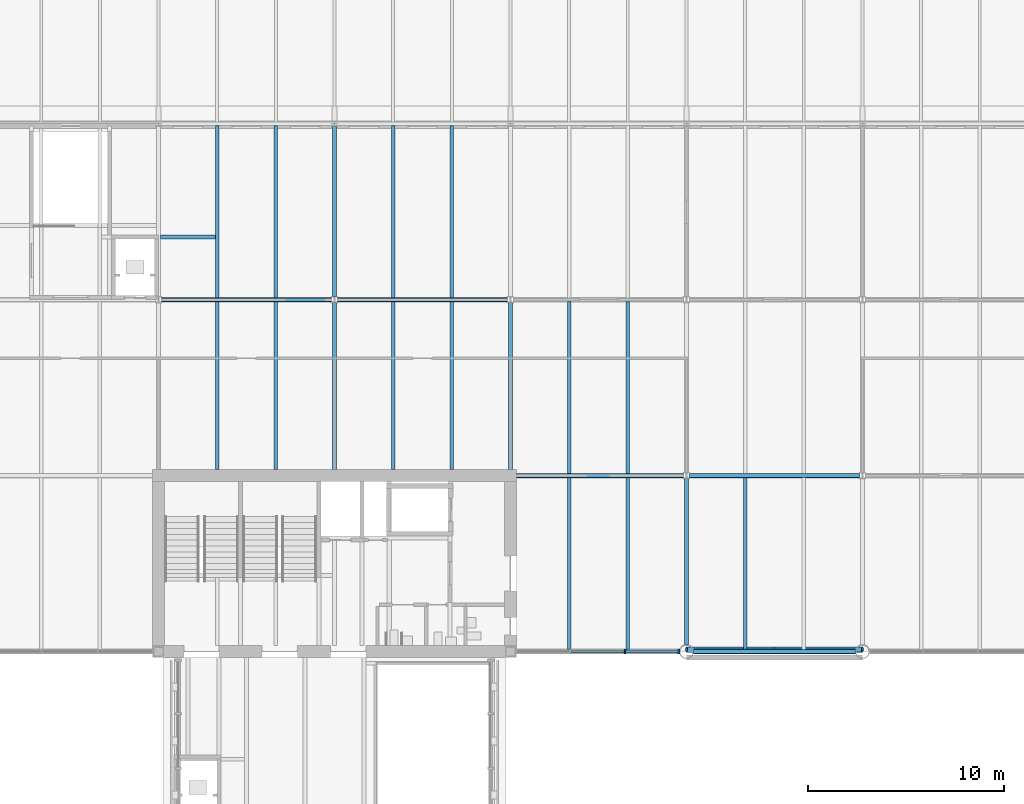
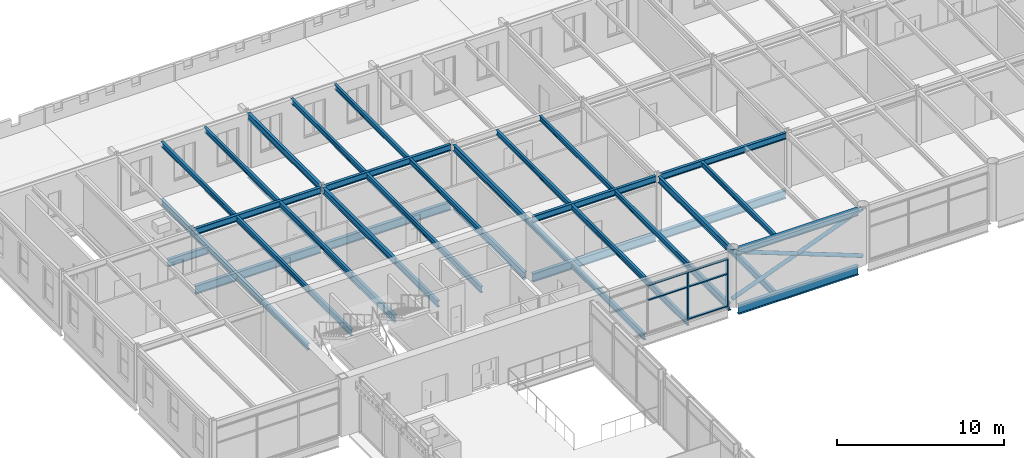
# One storey, part 35 of 123: 45 beams, 9 members, 1 element without a shape of its own.
"""IFC4 building model written with IfcOpenShell, lengths in metres."""

from ifc_helpers import new_model, si_unit, direction, frame, origin, origin_2d, place, context, subcontext, project, spatial, rectangle, hollow_circle, i_section, extrude, material, material_profile, profile_set, type_object, element, aggregate, save


model = new_model("IFC4")

# Units and contexts
model_context = context("Model", 3, precision=1e-05, world=origin(), true_north=direction((0.0, 1.0)))
body_context = subcontext(model_context, "Body", "Model", "MODEL_VIEW")
ifc_project = project(units=[si_unit("LENGTHUNIT", "METRE"), si_unit("AREAUNIT", "SQUARE_METRE"), si_unit("VOLUMEUNIT", "CUBIC_METRE"), si_unit("PLANEANGLEUNIT", "RADIAN"), si_unit("MASSUNIT", "GRAM", prefix="KILO")], contexts=[model_context])

# Site, building, storey
site_placement = place(None, origin())
site = spatial("IfcSite", under=ifc_project, at=site_placement, CompositionType="ELEMENT")
building_placement = place(site_placement, origin())
building = spatial("IfcBuilding", under=site, at=building_placement, Name="Baradari Gate Terminus", CompositionType="ELEMENT")
storey_placement = place(building_placement, frame((0.0, 0.0, 7.5)))
storey = spatial("IfcBuildingStorey", under=building, at=storey_placement, Name="L01", CompositionType="ELEMENT", Elevation=7.5)

# Members
ifc_material_1 = material(Name="Steel S355", Category="steel")
ifc_material_profile_1 = material_profile(ifc_material_1, hollow_circle(Radius=0.136474609375, WallThickness=0.012451171875, at=origin_2d()), Name="CHS 273x12.5")
ifc_profile_set_1 = profile_set([ifc_material_profile_1], Name="Steel S355")
member_type_1 = type_object("IfcMemberType", Name="Column bracing X02 CHS 273x12.5", PredefinedType="BRACE", material=ifc_profile_set_1)
for number, where, z_axis, x_axis, name in (
    (1, (99.0, 81.10009765625, 0.35009765625), (0.933747810426, 0.0, 0.357931594757), (0.0, 1.0, 0.0), "Column bracing 12-13 line K L01"),
    (2, (108.0, 81.10009765625, 0.35009765625), (-0.933747810426, 0.0, 0.357931594757), (0.0, -1.0, 0.0), "Column bracing 12-13 line K L01"),
):
    element("IfcMember", number, at=place(storey_placement, frame(where, z_axis=z_axis, x_axis=x_axis)), inside=storey, type_object=member_type_1, Name=name, PredefinedType="BRACE", context=body_context, shape_type="SweptSolid", body=[
        extrude(hollow_circle(Radius=0.136474609375, WallThickness=0.012451171875, at=origin_2d()), origin(), (0.0, 0.0, 1.0), 9.638671875),
    ])

# Curtain wall, members
ifc_material_2 = material(Name="Aluminium 6063-T6", Category="aluminium")
curtain_wall_type = type_object("IfcCurtainWallType", Name="Curtain wall CW-13 concourse gallery glazing", PredefinedType="NOTDEFINED", material=ifc_material_2)
curtain_wall_placement = place(storey_placement, origin())
curtain_wall = element("IfcCurtainWall", 3, at=curtain_wall_placement, inside=storey, type_object=curtain_wall_type, Name="Glazed curtain wall CW-13 HS bay 11 L01", PredefinedType="NOTDEFINED")
ifc_material_3 = material(Name="Aluminium 6063-T6", Category="aluminium")
ifc_material_profile_2 = material_profile(ifc_material_3, rectangle(XDim=0.22509765625, YDim=0.080078125, at=origin_2d()), Name="CM-13 80X225")
ifc_profile_set_2 = profile_set([ifc_material_profile_2], Name="Aluminium 6063-T6")
member_type_2 = type_object("IfcMemberType", Name="Curtain wall mullion CM-13 80x225", PredefinedType="MULLION", material=ifc_profile_set_2)
member_1_placement = place(storey_placement, frame((95.846435546875, 81.0, 0.0), z_axis=(0.0, 0.0, 1.0), x_axis=(0.0, 1.0, 0.0)))
member_1 = element("IfcMember", 4, at=member_1_placement, type_object=member_type_2, Name="CW-13 mullion 3", PredefinedType="MULLION", context=body_context, shape_type="SweptSolid", body=[
    extrude(rectangle(XDim=0.22509765625, YDim=0.080078125, at=origin_2d()), origin(), (0.0, 0.0, 1.0), 3.516845703125),
])
member_2_placement = place(storey_placement, frame((98.6044921875, 81.0, 0.0), z_axis=(0.0, 0.0, 1.0), x_axis=(0.0, 1.0, 0.0)))
member_2 = element("IfcMember", 5, at=member_2_placement, type_object=member_type_2, Name="CW-13 mullion 4", PredefinedType="MULLION", context=body_context, shape_type="SweptSolid", body=[
    extrude(rectangle(XDim=0.22509765625, YDim=0.080078125, at=origin_2d()), origin(), (0.0, 0.0, 1.0), 3.516845703125),
])
ifc_material_4 = material(Name="Aluminium 6063-T6", Category="aluminium")
ifc_material_profile_3 = material_profile(ifc_material_4, rectangle(XDim=0.159912109375, YDim=0.080078125, at=origin_2d()), Name="CT-13 80X160")
ifc_profile_set_3 = profile_set([ifc_material_profile_3], Name="Aluminium 6063-T6")
member_type_3 = type_object("IfcMemberType", Name="Curtain wall transom CT-13 80x160", PredefinedType="USERDEFINED", material=ifc_profile_set_3)
member_3_placement = place(storey_placement, frame((93.088134765625, 81.0, 2.39990234375), z_axis=(1.0, 0.0, 0.0), x_axis=(0.0, 1.0, 0.0)))
member_3 = element("IfcMember", 6, at=member_3_placement, type_object=member_type_3, Name="CW-13 transom 2.2", ObjectType="TRANSOM", PredefinedType="USERDEFINED", context=body_context, shape_type="SweptSolid", body=[
    extrude(rectangle(XDim=0.159912109375, YDim=0.080078125, at=origin_2d()), origin(), (0.0, 0.0, 1.0), 2.71826171875),
])
member_4_placement = place(storey_placement, frame((93.088134765625, 81.0, 3.476806640625), z_axis=(1.0, 0.0, 0.0), x_axis=(0.0, 1.0, 0.0)))
member_4 = element("IfcMember", 7, at=member_4_placement, type_object=member_type_3, Name="CW-13 transom 2.3", ObjectType="TRANSOM", PredefinedType="USERDEFINED", context=body_context, shape_type="SweptSolid", body=[
    extrude(rectangle(XDim=0.159912109375, YDim=0.080078125, at=origin_2d()), origin(), (0.0, 0.0, 1.0), 2.71826171875),
])
member_5_placement = place(storey_placement, frame((95.88623046875, 81.0, 0.0400390625), z_axis=(1.0, 0.0, 0.0), x_axis=(0.0, 1.0, 0.0)))
member_5 = element("IfcMember", 8, at=member_5_placement, type_object=member_type_3, Name="CW-13 transom 3.1", ObjectType="TRANSOM", PredefinedType="USERDEFINED", context=body_context, shape_type="SweptSolid", body=[
    extrude(rectangle(XDim=0.159912109375, YDim=0.080078125, at=origin_2d()), origin(), (0.0, 0.0, 1.0), 2.67822265625),
])
member_6_placement = place(storey_placement, frame((95.88623046875, 81.0, 2.39990234375), z_axis=(1.0, 0.0, 0.0), x_axis=(0.0, 1.0, 0.0)))
member_6 = element("IfcMember", 9, at=member_6_placement, type_object=member_type_3, Name="CW-13 transom 3.2", ObjectType="TRANSOM", PredefinedType="USERDEFINED", context=body_context, shape_type="SweptSolid", body=[
    extrude(rectangle(XDim=0.159912109375, YDim=0.080078125, at=origin_2d()), origin(), (0.0, 0.0, 1.0), 2.67822265625),
])
member_7_placement = place(storey_placement, frame((95.88623046875, 81.0, 3.476806640625), z_axis=(1.0, 0.0, 0.0), x_axis=(0.0, 1.0, 0.0)))
member_7 = element("IfcMember", 10, at=member_7_placement, type_object=member_type_3, Name="CW-13 transom 3.3", ObjectType="TRANSOM", PredefinedType="USERDEFINED", context=body_context, shape_type="SweptSolid", body=[
    extrude(rectangle(XDim=0.159912109375, YDim=0.080078125, at=origin_2d()), origin(), (0.0, 0.0, 1.0), 2.67822265625),
])
aggregate(curtain_wall, [member_1, member_2, member_3, member_4, member_5, member_6, member_7])

# Beams
ifc_material_5 = material(Name="Steel S355", Category="steel")
ifc_material_profile_4 = material_profile(ifc_material_5, i_section(OverallWidth=0.210693359375, OverallDepth=0.53955078125, WebThickness=0.01171875, FlangeThickness=0.018798828125, FilletRadius=0.0126953125, at=origin_2d()), Name="UB 533x210x109")
ifc_profile_set_4 = profile_set([ifc_material_profile_4], Name="Steel S355")
beam_type_1 = type_object("IfcBeamType", Name="Head-house cross girder B12 UB 533x210x109", PredefinedType="BEAM", material=ifc_profile_set_4)
beam_1_placement = place(storey_placement, frame((81.0, 90.300048828125, -0.399658203125), z_axis=(0.0, 1.0, 0.0), x_axis=(-1.0, 0.0, 0.0)))
element("IfcBeam", 11, at=beam_1_placement, inside=storey, type_object=beam_type_1, Name="Head-house cross girder B12 10:90.3-98.843 L01", PredefinedType="BEAM", context=body_context, shape_type="SweptSolid", body=[
    extrude(i_section(OverallWidth=0.210693359375, OverallDepth=0.53955078125, WebThickness=0.01171875, FlangeThickness=0.018798828125, FilletRadius=0.0126953125, at=origin_2d()), origin(), (0.0, 0.0, 1.0), 8.542724609375),
])
beam_2_placement = place(storey_placement, frame((81.0, 99.1572265625, -0.399658203125), z_axis=(0.0, 1.0, 0.0), x_axis=(-1.0, 0.0, 0.0)))
element("IfcBeam", 12, at=beam_2_placement, inside=storey, type_object=beam_type_1, Name="Head-house cross girder B12 10:99.157-107.87 L01", PredefinedType="BEAM", context=body_context, shape_type="SweptSolid", body=[
    extrude(i_section(OverallWidth=0.210693359375, OverallDepth=0.53955078125, WebThickness=0.01171875, FlangeThickness=0.018798828125, FilletRadius=0.0126953125, at=origin_2d()), origin(), (0.0, 0.0, 1.0), 8.712646484375),
])
beam_3_placement = place(storey_placement, frame((90.0, 90.300048828125, -0.399658203125), z_axis=(0.0, 1.0, 0.0), x_axis=(-1.0, 0.0, 0.0)))
element("IfcBeam", 13, at=beam_3_placement, inside=storey, type_object=beam_type_1, Name="Head-house cross girder B12 11:90.3-98.843 L01", PredefinedType="BEAM", context=body_context, shape_type="SweptSolid", body=[
    extrude(i_section(OverallWidth=0.210693359375, OverallDepth=0.53955078125, WebThickness=0.01171875, FlangeThickness=0.018798828125, FilletRadius=0.0126953125, at=origin_2d()), origin(), (0.0, 0.0, 1.0), 8.542724609375),
])
beam_4_placement = place(storey_placement, frame((99.0, 81.35546875, -0.399658203125), z_axis=(0.0, 1.0, 0.0), x_axis=(-1.0, 0.0, 0.0)))
element("IfcBeam", 14, at=beam_4_placement, inside=storey, type_object=beam_type_1, Name="Head-house cross girder B12 12:81.356-89.843 L01", PredefinedType="BEAM", context=body_context, shape_type="SweptSolid", body=[
    extrude(i_section(OverallWidth=0.210693359375, OverallDepth=0.53955078125, WebThickness=0.01171875, FlangeThickness=0.018798828125, FilletRadius=0.0126953125, at=origin_2d()), origin(), (0.0, 0.0, 1.0), 8.4873046875),
])
ifc_material_6 = material(Name="Steel S355", Category="steel")
ifc_material_profile_5 = material_profile(ifc_material_6, i_section(OverallWidth=0.2529296875, OverallDepth=0.677978515625, WebThickness=0.01171875, FlangeThickness=0.01611328125, FilletRadius=0.01513671875, at=origin_2d()), Name="UB 686x254x125")
ifc_profile_set_5 = profile_set([ifc_material_profile_5], Name="Steel S355")
beam_type_2 = type_object("IfcBeamType", Name="Head-house edge girder B07 UB 686x254x125", PredefinedType="BEAM", material=ifc_profile_set_5)
beam_5_placement = place(storey_placement, frame((99.35546875, 81.0, -0.468994140625), z_axis=(1.0, 0.0, 0.0), x_axis=(0.0, 1.0, 0.0)))
element("IfcBeam", 15, at=beam_5_placement, inside=storey, type_object=beam_type_2, Name="Head-house edge girder B07 K:99.356-107.644 L01", PredefinedType="BEAM", context=body_context, shape_type="SweptSolid", body=[
    extrude(i_section(OverallWidth=0.2529296875, OverallDepth=0.677978515625, WebThickness=0.01171875, FlangeThickness=0.01611328125, FilletRadius=0.01513671875, at=origin_2d()), origin(), (0.0, 0.0, 1.0), 8.2890625),
])
ifc_material_7 = material(Name="Steel S355", Category="steel")
ifc_material_profile_6 = material_profile(ifc_material_7, i_section(OverallWidth=0.22900390625, OverallDepth=0.6123046875, WebThickness=0.011962890625, FlangeThickness=0.01953125, FilletRadius=0.0126953125, at=origin_2d()), Name="UB 610x229x125")
ifc_profile_set_6 = profile_set([ifc_material_profile_6], Name="Steel S355")
beam_type_3 = type_object("IfcBeamType", Name="Head-house girder B09 UB 610x229x125", PredefinedType="BEAM", material=ifc_profile_set_6)
beam_6_placement = place(storey_placement, frame((90.300048828125, 90.0, -0.43603515625), z_axis=(1.0, 0.0, 0.0), x_axis=(0.0, 1.0, 0.0)))
element("IfcBeam", 16, at=beam_6_placement, inside=storey, type_object=beam_type_3, Name="Head-house girder B09 L:90.3-98.846 L01", PredefinedType="BEAM", context=body_context, shape_type="SweptSolid", body=[
    extrude(i_section(OverallWidth=0.22900390625, OverallDepth=0.6123046875, WebThickness=0.011962890625, FlangeThickness=0.01953125, FilletRadius=0.0126953125, at=origin_2d()), origin(), (0.0, 0.0, 1.0), 8.546142578125),
])
for number, where, z_axis, x_axis, name in (
    (17, (99.15380859375, 90.0, -0.43603515625), (1.0, 0.0, 0.0), (0.0, 1.0, 0.0), "Head-house girder B09 L:99.154-107.846 L01"),
    (18, (72.15380859375, 99.0, -0.43603515625), (1.0, 0.0, 0.0), (0.0, 1.0, 0.0), "Head-house girder B09 M:72.154-80.846 L01"),
    (19, (81.15380859375, 99.0, -0.43603515625), (1.0, 0.0, 0.0), (0.0, 1.0, 0.0), "Head-house girder B09 M:81.154-89.846 L01"),
):
    element("IfcBeam", number, at=place(storey_placement, frame(where, z_axis=z_axis, x_axis=x_axis)), inside=storey, type_object=beam_type_3, Name=name, PredefinedType="BEAM", context=body_context, shape_type="SweptSolid", body=[
        extrude(i_section(OverallWidth=0.22900390625, OverallDepth=0.6123046875, WebThickness=0.011962890625, FlangeThickness=0.01953125, FilletRadius=0.0126953125, at=origin_2d()), origin(), (0.0, 0.0, 1.0), 8.6923828125),
    ])
ifc_material_8 = material(Name="Steel S355", Category="steel")
ifc_material_profile_7 = material_profile(ifc_material_8, i_section(OverallWidth=0.1904296875, OverallDepth=0.45703125, WebThickness=0.009033203125, FlangeThickness=0.014404296875, FilletRadius=0.01025390625, at=origin_2d()), Name="UB 457x191x74")
ifc_profile_set_7 = profile_set([ifc_material_profile_7], Name="Steel S355")
beam_type_4 = type_object("IfcBeamType", Name="Head-house roof cross girder B51 UB 457x191x74", PredefinedType="BEAM", material=ifc_profile_set_7)
beam_7_placement = place(storey_placement, frame((81.0, 90.300048828125, 3.821533203125), z_axis=(0.0, 1.0, 0.0), x_axis=(-1.0, 0.0, 0.0)))
element("IfcBeam", 20, at=beam_7_placement, inside=storey, type_object=beam_type_4, Name="Head-house roof cross girder B51 10:90.3-98.843 L01", PredefinedType="BEAM", context=body_context, shape_type="SweptSolid", body=[
    extrude(i_section(OverallWidth=0.1904296875, OverallDepth=0.45703125, WebThickness=0.009033203125, FlangeThickness=0.014404296875, FilletRadius=0.01025390625, at=origin_2d()), origin(), (0.0, 0.0, 1.0), 8.542724609375),
])
beam_8_placement = place(storey_placement, frame((81.0, 99.1572265625, 3.821533203125), z_axis=(0.0, 1.0, 0.0), x_axis=(-1.0, 0.0, 0.0)))
element("IfcBeam", 21, at=beam_8_placement, inside=storey, type_object=beam_type_4, Name="Head-house roof cross girder B51 10:99.157-107.87 L01", PredefinedType="BEAM", context=body_context, shape_type="SweptSolid", body=[
    extrude(i_section(OverallWidth=0.1904296875, OverallDepth=0.45703125, WebThickness=0.009033203125, FlangeThickness=0.014404296875, FilletRadius=0.01025390625, at=origin_2d()), origin(), (0.0, 0.0, 1.0), 8.712646484375),
])
beam_9_placement = place(storey_placement, frame((90.0, 90.300048828125, 3.821533203125), z_axis=(0.0, 1.0, 0.0), x_axis=(-1.0, 0.0, 0.0)))
element("IfcBeam", 22, at=beam_9_placement, inside=storey, type_object=beam_type_4, Name="Head-house roof cross girder B51 11:90.3-98.843 L01", PredefinedType="BEAM", context=body_context, shape_type="SweptSolid", body=[
    extrude(i_section(OverallWidth=0.1904296875, OverallDepth=0.45703125, WebThickness=0.009033203125, FlangeThickness=0.014404296875, FilletRadius=0.01025390625, at=origin_2d()), origin(), (0.0, 0.0, 1.0), 8.542724609375),
])
beam_10_placement = place(storey_placement, frame((99.0, 81.35546875, 3.821533203125), z_axis=(0.0, 1.0, 0.0), x_axis=(-1.0, 0.0, 0.0)))
element("IfcBeam", 23, at=beam_10_placement, inside=storey, type_object=beam_type_4, Name="Head-house roof cross girder B51 12:81.356-89.843 L01", PredefinedType="BEAM", context=body_context, shape_type="SweptSolid", body=[
    extrude(i_section(OverallWidth=0.1904296875, OverallDepth=0.45703125, WebThickness=0.009033203125, FlangeThickness=0.014404296875, FilletRadius=0.01025390625, at=origin_2d()), origin(), (0.0, 0.0, 1.0), 8.4873046875),
])
ifc_material_9 = material(Name="Steel S355", Category="steel")
ifc_material_profile_8 = material_profile(ifc_material_9, i_section(OverallWidth=0.209228515625, OverallDepth=0.533203125, WebThickness=0.010009765625, FlangeThickness=0.015625, FilletRadius=0.0126953125, at=origin_2d()), Name="UB 533x210x92")
ifc_profile_set_8 = profile_set([ifc_material_profile_8], Name="Steel S355")
beam_type_5 = type_object("IfcBeamType", Name="Head-house roof edge girder B48 UB 533x210x92", PredefinedType="BEAM", material=ifc_profile_set_8)
beam_11_placement = place(storey_placement, frame((99.35546875, 81.0, 3.783447265625), z_axis=(1.0, 0.0, 0.0), x_axis=(0.0, 1.0, 0.0)))
element("IfcBeam", 24, at=beam_11_placement, inside=storey, type_object=beam_type_5, Name="Head-house roof edge girder B48 K:99.356-107.644 L01", PredefinedType="BEAM", context=body_context, shape_type="SweptSolid", body=[
    extrude(i_section(OverallWidth=0.209228515625, OverallDepth=0.533203125, WebThickness=0.010009765625, FlangeThickness=0.015625, FilletRadius=0.0126953125, at=origin_2d()), origin(), (0.0, 0.0, 1.0), 8.2890625),
])
ifc_material_10 = material(Name="Steel S355", Category="steel")
ifc_material_profile_9 = material_profile(ifc_material_10, i_section(OverallWidth=0.19140625, OverallDepth=0.4599609375, WebThickness=0.010009765625, FlangeThickness=0.01611328125, FilletRadius=0.01025390625, at=origin_2d()), Name="UB 457x191x82")
ifc_profile_set_9 = profile_set([ifc_material_profile_9], Name="Steel S355")
beam_type_6 = type_object("IfcBeamType", Name="Head-house roof girder B49 UB 457x191x82", PredefinedType="BEAM", material=ifc_profile_set_9)
beam_12_placement = place(storey_placement, frame((90.300048828125, 90.0, 3.820068359375), z_axis=(1.0, 0.0, 0.0), x_axis=(0.0, 1.0, 0.0)))
element("IfcBeam", 25, at=beam_12_placement, inside=storey, type_object=beam_type_6, Name="Head-house roof girder B49 L:90.3-98.846 L01", PredefinedType="BEAM", context=body_context, shape_type="SweptSolid", body=[
    extrude(i_section(OverallWidth=0.19140625, OverallDepth=0.4599609375, WebThickness=0.010009765625, FlangeThickness=0.01611328125, FilletRadius=0.01025390625, at=origin_2d()), origin(), (0.0, 0.0, 1.0), 8.546142578125),
])
for number, where, z_axis, x_axis, name in (
    (26, (99.15380859375, 90.0, 3.820068359375), (1.0, 0.0, 0.0), (0.0, 1.0, 0.0), "Head-house roof girder B49 L:99.154-107.846 L01"),
    (27, (72.15380859375, 99.0, 3.820068359375), (1.0, 0.0, 0.0), (0.0, 1.0, 0.0), "Head-house roof girder B49 M:72.154-80.846 L01"),
    (28, (81.15380859375, 99.0, 3.820068359375), (1.0, 0.0, 0.0), (0.0, 1.0, 0.0), "Head-house roof girder B49 M:81.154-89.846 L01"),
):
    element("IfcBeam", number, at=place(storey_placement, frame(where, z_axis=z_axis, x_axis=x_axis)), inside=storey, type_object=beam_type_6, Name=name, PredefinedType="BEAM", context=body_context, shape_type="SweptSolid", body=[
        extrude(i_section(OverallWidth=0.19140625, OverallDepth=0.4599609375, WebThickness=0.010009765625, FlangeThickness=0.01611328125, FilletRadius=0.01025390625, at=origin_2d()), origin(), (0.0, 0.0, 1.0), 8.6923828125),
    ])
ifc_material_11 = material(Name="Steel S355", Category="steel")
ifc_material_profile_10 = material_profile(ifc_material_11, i_section(OverallWidth=0.17138671875, OverallDepth=0.35498046875, WebThickness=0.00732421875, FlangeThickness=0.011474609375, FilletRadius=0.01025390625, at=origin_2d()), Name="UB 356x171x51")
ifc_profile_set_10 = profile_set([ifc_material_profile_10], Name="Steel S355")
beam_type_7 = type_object("IfcBeamType", Name="Head-house roof secondary beam B50 UB 356x171x51", PredefinedType="BEAM", material=ifc_profile_set_10)
beam_13_placement = place(storey_placement, frame((75.0, 90.300048828125, 3.87255859375), z_axis=(0.0, 1.0, 0.0), x_axis=(-1.0, 0.0, 0.0)))
element("IfcBeam", 29, at=beam_13_placement, inside=storey, type_object=beam_type_7, Name="Head-house roof secondary beam B50 75:90.3-98.904 L01", PredefinedType="BEAM", context=body_context, shape_type="SweptSolid", body=[
    extrude(i_section(OverallWidth=0.17138671875, OverallDepth=0.35498046875, WebThickness=0.00732421875, FlangeThickness=0.011474609375, FilletRadius=0.01025390625, at=origin_2d()), origin(), (0.0, 0.0, 1.0), 8.604248046875),
])
beam_14_placement = place(storey_placement, frame((75.0, 99.095703125, 3.87255859375), z_axis=(0.0, 1.0, 0.0), x_axis=(-1.0, 0.0, 0.0)))
element("IfcBeam", 30, at=beam_14_placement, inside=storey, type_object=beam_type_7, Name="Head-house roof secondary beam B50 75:99.096-107.895 L01", PredefinedType="BEAM", context=body_context, shape_type="SweptSolid", body=[
    extrude(i_section(OverallWidth=0.17138671875, OverallDepth=0.35498046875, WebThickness=0.00732421875, FlangeThickness=0.011474609375, FilletRadius=0.01025390625, at=origin_2d()), origin(), (0.0, 0.0, 1.0), 8.799560546875),
])
beam_15_placement = place(storey_placement, frame((78.0, 90.300048828125, 3.87255859375), z_axis=(0.0, 1.0, 0.0), x_axis=(-1.0, 0.0, 0.0)))
element("IfcBeam", 31, at=beam_15_placement, inside=storey, type_object=beam_type_7, Name="Head-house roof secondary beam B50 78:90.3-98.904 L01", PredefinedType="BEAM", context=body_context, shape_type="SweptSolid", body=[
    extrude(i_section(OverallWidth=0.17138671875, OverallDepth=0.35498046875, WebThickness=0.00732421875, FlangeThickness=0.011474609375, FilletRadius=0.01025390625, at=origin_2d()), origin(), (0.0, 0.0, 1.0), 8.604248046875),
])
beam_16_placement = place(storey_placement, frame((78.0, 99.095703125, 3.87255859375), z_axis=(0.0, 1.0, 0.0), x_axis=(-1.0, 0.0, 0.0)))
element("IfcBeam", 32, at=beam_16_placement, inside=storey, type_object=beam_type_7, Name="Head-house roof secondary beam B50 78:99.096-107.895 L01", PredefinedType="BEAM", context=body_context, shape_type="SweptSolid", body=[
    extrude(i_section(OverallWidth=0.17138671875, OverallDepth=0.35498046875, WebThickness=0.00732421875, FlangeThickness=0.011474609375, FilletRadius=0.01025390625, at=origin_2d()), origin(), (0.0, 0.0, 1.0), 8.799560546875),
])
beam_17_placement = place(storey_placement, frame((84.0, 90.300048828125, 3.87255859375), z_axis=(0.0, 1.0, 0.0), x_axis=(-1.0, 0.0, 0.0)))
element("IfcBeam", 33, at=beam_17_placement, inside=storey, type_object=beam_type_7, Name="Head-house roof secondary beam B50 84:90.3-98.904 L01", PredefinedType="BEAM", context=body_context, shape_type="SweptSolid", body=[
    extrude(i_section(OverallWidth=0.17138671875, OverallDepth=0.35498046875, WebThickness=0.00732421875, FlangeThickness=0.011474609375, FilletRadius=0.01025390625, at=origin_2d()), origin(), (0.0, 0.0, 1.0), 8.604248046875),
])
beam_18_placement = place(storey_placement, frame((84.0, 99.095703125, 3.87255859375), z_axis=(0.0, 1.0, 0.0), x_axis=(-1.0, 0.0, 0.0)))
element("IfcBeam", 34, at=beam_18_placement, inside=storey, type_object=beam_type_7, Name="Head-house roof secondary beam B50 84:99.096-107.895 L01", PredefinedType="BEAM", context=body_context, shape_type="SweptSolid", body=[
    extrude(i_section(OverallWidth=0.17138671875, OverallDepth=0.35498046875, WebThickness=0.00732421875, FlangeThickness=0.011474609375, FilletRadius=0.01025390625, at=origin_2d()), origin(), (0.0, 0.0, 1.0), 8.799560546875),
])
beam_19_placement = place(storey_placement, frame((87.0, 90.300048828125, 3.87255859375), z_axis=(0.0, 1.0, 0.0), x_axis=(-1.0, 0.0, 0.0)))
element("IfcBeam", 35, at=beam_19_placement, inside=storey, type_object=beam_type_7, Name="Head-house roof secondary beam B50 87:90.3-98.904 L01", PredefinedType="BEAM", context=body_context, shape_type="SweptSolid", body=[
    extrude(i_section(OverallWidth=0.17138671875, OverallDepth=0.35498046875, WebThickness=0.00732421875, FlangeThickness=0.011474609375, FilletRadius=0.01025390625, at=origin_2d()), origin(), (0.0, 0.0, 1.0), 8.604248046875),
])
for number, where, z_axis, x_axis, name in (
    (36, (87.0, 99.095703125, 3.87255859375), (0.0, 1.0, 0.0), (-1.0, 0.0, 0.0), "Head-house roof secondary beam B50 87:99.096-107.895 L01"),
    (37, (93.0, 81.104736328125, 3.87255859375), (0.0, 1.0, 0.0), (-1.0, 0.0, 0.0), "Head-house roof secondary beam B50 93:81.105-89.904 L01"),
):
    element("IfcBeam", number, at=place(storey_placement, frame(where, z_axis=z_axis, x_axis=x_axis)), inside=storey, type_object=beam_type_7, Name=name, PredefinedType="BEAM", context=body_context, shape_type="SweptSolid", body=[
        extrude(i_section(OverallWidth=0.17138671875, OverallDepth=0.35498046875, WebThickness=0.00732421875, FlangeThickness=0.011474609375, FilletRadius=0.01025390625, at=origin_2d()), origin(), (0.0, 0.0, 1.0), 8.799560546875),
    ])
beam_20_placement = place(storey_placement, frame((93.0, 90.095703125, 3.87255859375), z_axis=(0.0, 1.0, 0.0), x_axis=(-1.0, 0.0, 0.0)))
element("IfcBeam", 38, at=beam_20_placement, inside=storey, type_object=beam_type_7, Name="Head-house roof secondary beam B50 93:90.096-98.904 L01", PredefinedType="BEAM", context=body_context, shape_type="SweptSolid", body=[
    extrude(i_section(OverallWidth=0.17138671875, OverallDepth=0.35498046875, WebThickness=0.00732421875, FlangeThickness=0.011474609375, FilletRadius=0.01025390625, at=origin_2d()), origin(), (0.0, 0.0, 1.0), 8.80859375),
])
beam_21_placement = place(storey_placement, frame((96.0, 81.104736328125, 3.87255859375), z_axis=(0.0, 1.0, 0.0), x_axis=(-1.0, 0.0, 0.0)))
element("IfcBeam", 39, at=beam_21_placement, inside=storey, type_object=beam_type_7, Name="Head-house roof secondary beam B50 96:81.105-89.904 L01", PredefinedType="BEAM", context=body_context, shape_type="SweptSolid", body=[
    extrude(i_section(OverallWidth=0.17138671875, OverallDepth=0.35498046875, WebThickness=0.00732421875, FlangeThickness=0.011474609375, FilletRadius=0.01025390625, at=origin_2d()), origin(), (0.0, 0.0, 1.0), 8.799560546875),
])
beam_22_placement = place(storey_placement, frame((96.0, 90.095703125, 3.87255859375), z_axis=(0.0, 1.0, 0.0), x_axis=(-1.0, 0.0, 0.0)))
element("IfcBeam", 40, at=beam_22_placement, inside=storey, type_object=beam_type_7, Name="Head-house roof secondary beam B50 96:90.096-98.904 L01", PredefinedType="BEAM", context=body_context, shape_type="SweptSolid", body=[
    extrude(i_section(OverallWidth=0.17138671875, OverallDepth=0.35498046875, WebThickness=0.00732421875, FlangeThickness=0.011474609375, FilletRadius=0.01025390625, at=origin_2d()), origin(), (0.0, 0.0, 1.0), 8.80859375),
])
beam_23_placement = place(storey_placement, frame((102.0, 81.104736328125, 3.87255859375), z_axis=(0.0, 1.0, 0.0), x_axis=(-1.0, 0.0, 0.0)))
element("IfcBeam", 41, at=beam_23_placement, inside=storey, type_object=beam_type_7, Name="Head-house roof secondary beam B50 102:81.105-89.904 L01", PredefinedType="BEAM", context=body_context, shape_type="SweptSolid", body=[
    extrude(i_section(OverallWidth=0.17138671875, OverallDepth=0.35498046875, WebThickness=0.00732421875, FlangeThickness=0.011474609375, FilletRadius=0.01025390625, at=origin_2d()), origin(), (0.0, 0.0, 1.0), 8.799560546875),
])
ifc_material_12 = material(Name="Steel S355", Category="steel")
ifc_material_profile_11 = material_profile(ifc_material_12, i_section(OverallWidth=0.18994140625, OverallDepth=0.453369140625, WebThickness=0.008544921875, FlangeThickness=0.0126953125, FilletRadius=0.01025390625, at=origin_2d()), Name="UB 457x191x67")
ifc_profile_set_11 = profile_set([ifc_material_profile_11], Name="Steel S355")
beam_type_8 = type_object("IfcBeamType", Name="Head-house secondary beam B11 UB 457x191x67", PredefinedType="BEAM", material=ifc_profile_set_11)
beam_24_placement = place(storey_placement, frame((75.0, 90.300048828125, -0.356689453125), z_axis=(0.0, 1.0, 0.0), x_axis=(-1.0, 0.0, 0.0)))
element("IfcBeam", 42, at=beam_24_placement, inside=storey, type_object=beam_type_8, Name="Head-house secondary beam B11 75:90.3-98.885 L01", PredefinedType="BEAM", context=body_context, shape_type="SweptSolid", body=[
    extrude(i_section(OverallWidth=0.18994140625, OverallDepth=0.453369140625, WebThickness=0.008544921875, FlangeThickness=0.0126953125, FilletRadius=0.01025390625, at=origin_2d()), origin(), (0.0, 0.0, 1.0), 8.58544921875),
])
beam_25_placement = place(storey_placement, frame((75.0, 99.114501953125, -0.356689453125), z_axis=(0.0, 1.0, 0.0), x_axis=(-1.0, 0.0, 0.0)))
element("IfcBeam", 43, at=beam_25_placement, inside=storey, type_object=beam_type_8, Name="Head-house secondary beam B11 75:99.115-107.874 L01", PredefinedType="BEAM", context=body_context, shape_type="SweptSolid", body=[
    extrude(i_section(OverallWidth=0.18994140625, OverallDepth=0.453369140625, WebThickness=0.008544921875, FlangeThickness=0.0126953125, FilletRadius=0.01025390625, at=origin_2d()), origin(), (0.0, 0.0, 1.0), 8.759033203125),
])
beam_26_placement = place(storey_placement, frame((78.0, 90.300048828125, -0.356689453125), z_axis=(0.0, 1.0, 0.0), x_axis=(-1.0, 0.0, 0.0)))
element("IfcBeam", 44, at=beam_26_placement, inside=storey, type_object=beam_type_8, Name="Head-house secondary beam B11 78:90.3-98.885 L01", PredefinedType="BEAM", context=body_context, shape_type="SweptSolid", body=[
    extrude(i_section(OverallWidth=0.18994140625, OverallDepth=0.453369140625, WebThickness=0.008544921875, FlangeThickness=0.0126953125, FilletRadius=0.01025390625, at=origin_2d()), origin(), (0.0, 0.0, 1.0), 8.58544921875),
])
beam_27_placement = place(storey_placement, frame((78.0, 99.114501953125, -0.356689453125), z_axis=(0.0, 1.0, 0.0), x_axis=(-1.0, 0.0, 0.0)))
element("IfcBeam", 45, at=beam_27_placement, inside=storey, type_object=beam_type_8, Name="Head-house secondary beam B11 78:99.115-107.874 L01", PredefinedType="BEAM", context=body_context, shape_type="SweptSolid", body=[
    extrude(i_section(OverallWidth=0.18994140625, OverallDepth=0.453369140625, WebThickness=0.008544921875, FlangeThickness=0.0126953125, FilletRadius=0.01025390625, at=origin_2d()), origin(), (0.0, 0.0, 1.0), 8.759033203125),
])
beam_28_placement = place(storey_placement, frame((84.0, 90.300048828125, -0.356689453125), z_axis=(0.0, 1.0, 0.0), x_axis=(-1.0, 0.0, 0.0)))
element("IfcBeam", 46, at=beam_28_placement, inside=storey, type_object=beam_type_8, Name="Head-house secondary beam B11 84:90.3-98.885 L01", PredefinedType="BEAM", context=body_context, shape_type="SweptSolid", body=[
    extrude(i_section(OverallWidth=0.18994140625, OverallDepth=0.453369140625, WebThickness=0.008544921875, FlangeThickness=0.0126953125, FilletRadius=0.01025390625, at=origin_2d()), origin(), (0.0, 0.0, 1.0), 8.58544921875),
])
beam_29_placement = place(storey_placement, frame((84.0, 99.114501953125, -0.356689453125), z_axis=(0.0, 1.0, 0.0), x_axis=(-1.0, 0.0, 0.0)))
element("IfcBeam", 47, at=beam_29_placement, inside=storey, type_object=beam_type_8, Name="Head-house secondary beam B11 84:99.115-107.874 L01", PredefinedType="BEAM", context=body_context, shape_type="SweptSolid", body=[
    extrude(i_section(OverallWidth=0.18994140625, OverallDepth=0.453369140625, WebThickness=0.008544921875, FlangeThickness=0.0126953125, FilletRadius=0.01025390625, at=origin_2d()), origin(), (0.0, 0.0, 1.0), 8.759033203125),
])
beam_30_placement = place(storey_placement, frame((87.0, 90.300048828125, -0.356689453125), z_axis=(0.0, 1.0, 0.0), x_axis=(-1.0, 0.0, 0.0)))
element("IfcBeam", 48, at=beam_30_placement, inside=storey, type_object=beam_type_8, Name="Head-house secondary beam B11 87:90.3-98.885 L01", PredefinedType="BEAM", context=body_context, shape_type="SweptSolid", body=[
    extrude(i_section(OverallWidth=0.18994140625, OverallDepth=0.453369140625, WebThickness=0.008544921875, FlangeThickness=0.0126953125, FilletRadius=0.01025390625, at=origin_2d()), origin(), (0.0, 0.0, 1.0), 8.58544921875),
])
for number, where, z_axis, x_axis, name in (
    (49, (87.0, 99.114501953125, -0.356689453125), (0.0, 1.0, 0.0), (-1.0, 0.0, 0.0), "Head-house secondary beam B11 87:99.115-107.874 L01"),
    (50, (93.0, 81.12646484375, -0.356689453125), (0.0, 1.0, 0.0), (-1.0, 0.0, 0.0), "Head-house secondary beam B11 93:81.126-89.885 L01"),
):
    element("IfcBeam", number, at=place(storey_placement, frame(where, z_axis=z_axis, x_axis=x_axis)), inside=storey, type_object=beam_type_8, Name=name, PredefinedType="BEAM", context=body_context, shape_type="SweptSolid", body=[
        extrude(i_section(OverallWidth=0.18994140625, OverallDepth=0.453369140625, WebThickness=0.008544921875, FlangeThickness=0.0126953125, FilletRadius=0.01025390625, at=origin_2d()), origin(), (0.0, 0.0, 1.0), 8.759033203125),
    ])
beam_31_placement = place(storey_placement, frame((93.0, 90.114501953125, -0.356689453125), z_axis=(0.0, 1.0, 0.0), x_axis=(-1.0, 0.0, 0.0)))
element("IfcBeam", 51, at=beam_31_placement, inside=storey, type_object=beam_type_8, Name="Head-house secondary beam B11 93:90.115-98.885 L01", PredefinedType="BEAM", context=body_context, shape_type="SweptSolid", body=[
    extrude(i_section(OverallWidth=0.18994140625, OverallDepth=0.453369140625, WebThickness=0.008544921875, FlangeThickness=0.0126953125, FilletRadius=0.01025390625, at=origin_2d()), origin(), (0.0, 0.0, 1.0), 8.77099609375),
])
beam_32_placement = place(storey_placement, frame((96.0, 81.12646484375, -0.356689453125), z_axis=(0.0, 1.0, 0.0), x_axis=(-1.0, 0.0, 0.0)))
element("IfcBeam", 52, at=beam_32_placement, inside=storey, type_object=beam_type_8, Name="Head-house secondary beam B11 96:81.126-89.885 L01", PredefinedType="BEAM", context=body_context, shape_type="SweptSolid", body=[
    extrude(i_section(OverallWidth=0.18994140625, OverallDepth=0.453369140625, WebThickness=0.008544921875, FlangeThickness=0.0126953125, FilletRadius=0.01025390625, at=origin_2d()), origin(), (0.0, 0.0, 1.0), 8.759033203125),
])
beam_33_placement = place(storey_placement, frame((96.0, 90.114501953125, -0.356689453125), z_axis=(0.0, 1.0, 0.0), x_axis=(-1.0, 0.0, 0.0)))
element("IfcBeam", 53, at=beam_33_placement, inside=storey, type_object=beam_type_8, Name="Head-house secondary beam B11 96:90.115-98.885 L01", PredefinedType="BEAM", context=body_context, shape_type="SweptSolid", body=[
    extrude(i_section(OverallWidth=0.18994140625, OverallDepth=0.453369140625, WebThickness=0.008544921875, FlangeThickness=0.0126953125, FilletRadius=0.01025390625, at=origin_2d()), origin(), (0.0, 0.0, 1.0), 8.77099609375),
])
beam_34_placement = place(storey_placement, frame((102.0, 81.12646484375, -0.356689453125), z_axis=(0.0, 1.0, 0.0), x_axis=(-1.0, 0.0, 0.0)))
element("IfcBeam", 54, at=beam_34_placement, inside=storey, type_object=beam_type_8, Name="Head-house secondary beam B11 102:81.126-89.885 L01", PredefinedType="BEAM", context=body_context, shape_type="SweptSolid", body=[
    extrude(i_section(OverallWidth=0.18994140625, OverallDepth=0.453369140625, WebThickness=0.008544921875, FlangeThickness=0.0126953125, FilletRadius=0.01025390625, at=origin_2d()), origin(), (0.0, 0.0, 1.0), 8.759033203125),
])
ifc_material_13 = material(Name="Steel S355", Category="steel")
ifc_material_profile_12 = material_profile(ifc_material_13, i_section(OverallWidth=0.209228515625, OverallDepth=0.533203125, WebThickness=0.010009765625, FlangeThickness=0.015625, FilletRadius=0.0126953125, at=origin_2d()), Name="UB 533x210x92")
ifc_profile_set_12 = profile_set([ifc_material_profile_12], Name="Steel S355")
beam_type_9 = type_object("IfcBeamType", Name="Head-house trimmer beam B08 UB 533x210x92", PredefinedType="BEAM", material=ifc_profile_set_12)
beam_35_placement = place(storey_placement, frame((72.10546875, 102.199951171875, -0.396484375), z_axis=(1.0, 0.0, 0.0), x_axis=(0.0, 1.0, 0.0)))
element("IfcBeam", 55, at=beam_35_placement, inside=storey, type_object=beam_type_9, Name="Head-house trimmer beam B08 102.2:72.105-74.905 L01", PredefinedType="BEAM", context=body_context, shape_type="SweptSolid", body=[
    extrude(i_section(OverallWidth=0.209228515625, OverallDepth=0.533203125, WebThickness=0.010009765625, FlangeThickness=0.015625, FilletRadius=0.0126953125, at=origin_2d()), origin(), (0.0, 0.0, 1.0), 2.799560546875),
])

save(model, "model.ifc")
